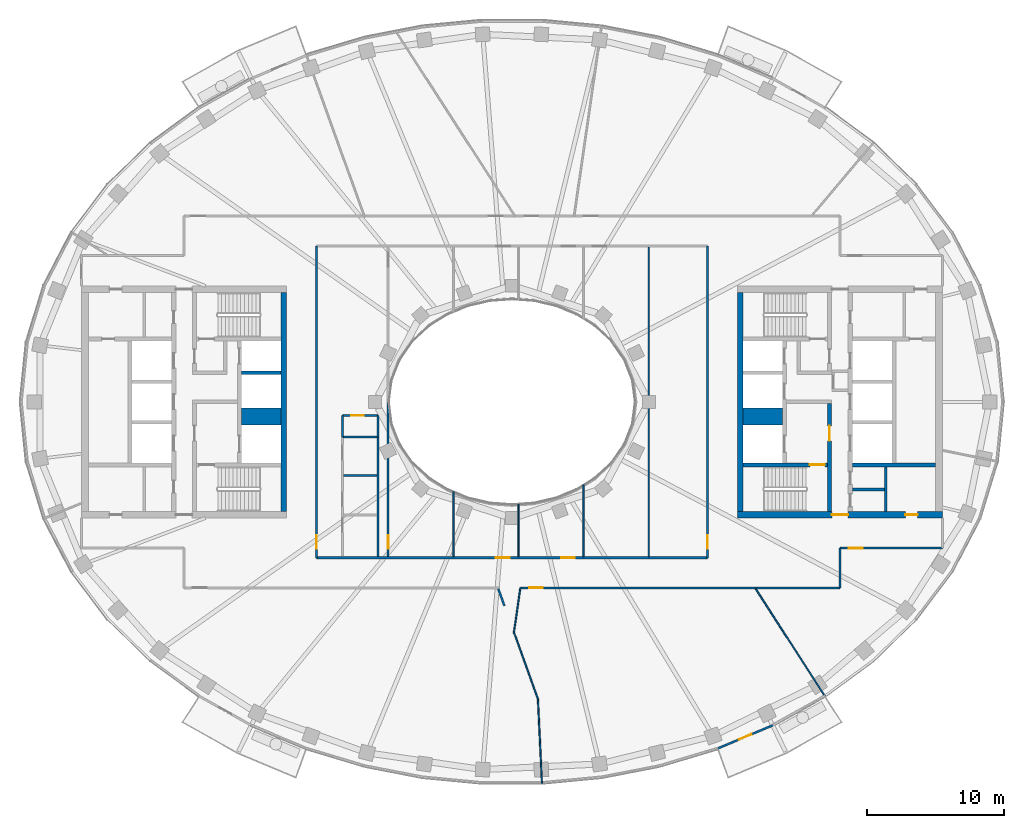
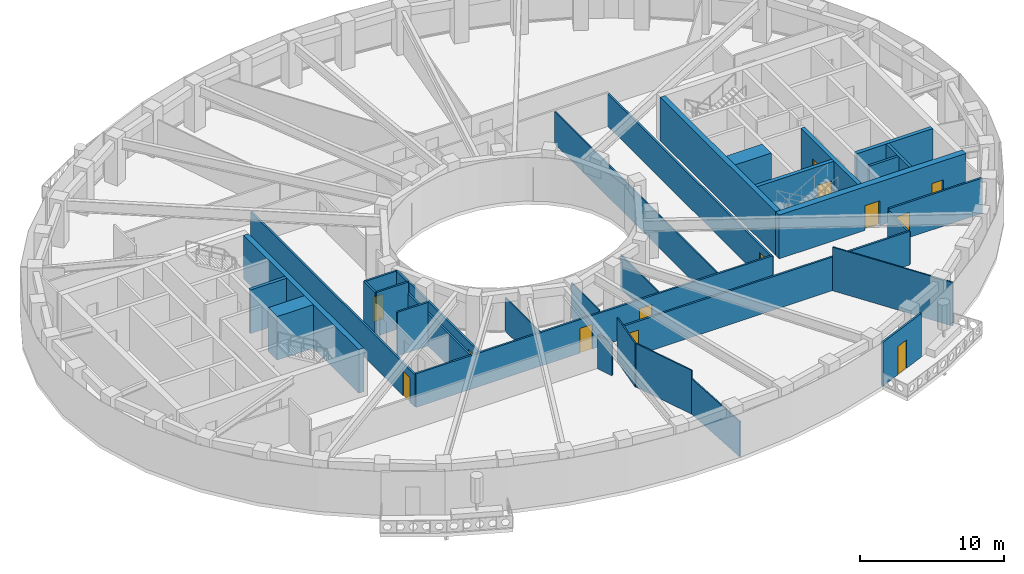
# One storey, part 4 of 15: 34 walls, 13 doors, 13 openings.
"""IFC4 building model written with IfcOpenShell, lengths in metres."""

import ifcopenshell
import ifcopenshell.guid

model = None  # the IFC model being written
_history = None  # IfcOwnerHistory: only IFC2X3 demands one
_inside = {}  # id of a spatial element -> (the spatial element, [elements in it])
_under = {}  # id of a project, library or spatial element -> (it, [spatial elements below it])
_declared = {}  # id of a project -> (the project, [libraries it declares])
_typed = {}  # id of a type object -> (the type object, [elements of that type])
_made_of = {}  # id of a material, layer set ... -> (it, [elements and type objects made of it])


def new_model(schema):
    """Start an empty IFC model of exactly this schema.

    Asked for "IFC4X3", IfcOpenShell would pick the latest addendum, in which some entities
    have other attributes; the version numbers below select the first issue.
    IFC2X3 requires an IfcOwnerHistory on every rooted entity: one is made here for all.
    """
    global model, _history
    if schema == "IFC4X3":
        model = ifcopenshell.file(schema_version=(4, 3, 0, 0))
    else:
        model = ifcopenshell.file(schema=schema)
    _inside.clear()
    _under.clear()
    _declared.clear()
    _typed.clear()
    _made_of.clear()
    _history = None
    if model.schema == "IFC2X3":
        org = make("IfcOrganization", Name="unknown")
        user = make(
            "IfcPersonAndOrganization",
            ThePerson=make("IfcPerson", FamilyName="unknown"),
            TheOrganization=org,
        )
        app = make(
            "IfcApplication",
            ApplicationDeveloper=org,
            Version="unknown",
            ApplicationFullName="unknown",
            ApplicationIdentifier="unknown",
        )
        _history = make(
            "IfcOwnerHistory",
            OwningUser=user,
            OwningApplication=app,
            ChangeAction="ADDED",
            CreationDate=0,
        )
    return model


def make(cls, **values):
    """One entity of the class cls with the attributes given. An attribute that is None is left unset."""
    return model.create_entity(
        cls, **{name: value for name, value in values.items() if value is not None}
    )


def rooted(cls, **values):
    """An entity with a GlobalId (a new one), such as an element, a storey or a relation."""
    return make(cls, GlobalId=ifcopenshell.guid.new(), OwnerHistory=_history, **values)


def si_unit(unit_type, name, prefix=None):
    """IfcSIUnit, for example si_unit("LENGTHUNIT", "METRE", prefix="MILLI")."""
    return make("IfcSIUnit", UnitType=unit_type, Prefix=prefix, Name=name)


def assignment(units):
    """IfcUnitAssignment: the units of a project."""
    return None if units is None else make("IfcUnitAssignment", Units=units)


def point(xyz):
    """IfcCartesianPoint."""
    return None if xyz is None else make("IfcCartesianPoint", Coordinates=xyz)


def direction(xyz):
    """IfcDirection."""
    return None if xyz is None else make("IfcDirection", DirectionRatios=xyz)


def frame(location, z_axis=None, x_axis=None):
    """IfcAxis2Placement3D, a coordinate frame: its origin and axes. An axis left out is left unset."""
    return make(
        "IfcAxis2Placement3D",
        Location=point(location),
        Axis=direction(z_axis),
        RefDirection=direction(x_axis),
    )


def frame_2d(location, x_axis=None):
    """IfcAxis2Placement2D, a coordinate frame in the plane: its origin and x axis."""
    return make(
        "IfcAxis2Placement2D", Location=point(location), RefDirection=direction(x_axis)
    )


def origin():
    """The frame at (0, 0, 0) with its axes left unset."""
    return frame((0.0, 0.0, 0.0))


def place(relative_to, where):
    """IfcLocalPlacement: puts the frame where relative to a parent placement (None: the world)."""
    return make(
        "IfcLocalPlacement", PlacementRelTo=relative_to, RelativePlacement=where
    )


def context(
    kind, dimensions, precision=None, world=None, true_north=None, identifier=None
):
    """IfcGeometricRepresentationContext, for example the 3D "Model" context."""
    return make(
        "IfcGeometricRepresentationContext",
        ContextIdentifier=identifier,
        ContextType=kind,
        CoordinateSpaceDimension=dimensions,
        Precision=precision,
        WorldCoordinateSystem=world,
        TrueNorth=true_north,
    )


def subcontext(parent, identifier, kind, view, scale=None):
    """IfcGeometricRepresentationSubContext, for example "Body" below "Model"."""
    return make(
        "IfcGeometricRepresentationSubContext",
        ContextIdentifier=identifier,
        ContextType=kind,
        ParentContext=parent,
        TargetScale=scale,
        TargetView=view,
    )


def project(units=None, contexts=None):
    """IfcProject with its units and contexts."""
    return rooted(
        "IfcProject",
        Name="project",
        RepresentationContexts=contexts,
        UnitsInContext=assignment(units),
    )


def spatial(cls, under=None, at=None, **own):
    """A site, building, storey or space (cls), placed at a placement, below another one or the project."""
    s = rooted(cls, ObjectPlacement=at, **own)
    if under is not None:
        _under.setdefault(under.id(), (under, []))[1].append(s)
    return s


def profile(cls, at=None, kind="AREA", **sizes):
    """A parametric profile (cls). Its sizes go by their IFC names, for example OverallWidth=200.0."""
    return make(cls, ProfileType=kind, Position=at, **sizes)


def rectangle(**sizes):
    """IfcRectangleProfileDef."""
    return profile("IfcRectangleProfileDef", **sizes)


def extrude(swept, where, along, depth):
    """IfcExtrudedAreaSolid: the profile swept, set in the frame where, extruded along a direction by depth."""
    return make(
        "IfcExtrudedAreaSolid",
        SweptArea=swept,
        Position=where,
        ExtrudedDirection=direction(along),
        Depth=depth,
    )


def shape(context_of_items, identifier, shape_type, items):
    """IfcShapeRepresentation: the items that make up one representation, for example the "Body"."""
    return make(
        "IfcShapeRepresentation",
        ContextOfItems=context_of_items,
        RepresentationIdentifier=identifier,
        RepresentationType=shape_type,
        Items=items,
    )


def material(Name=None, Category=None):
    """IfcMaterial."""
    return make("IfcMaterial", Name=Name, Category=Category)


def layer(
    of_material, thickness, ventilated=None, Name=None, Category=None, Priority=None
):
    """IfcMaterialLayer: one layer of a wall or slab, of a material (None: an air gap)."""
    return make(
        "IfcMaterialLayer",
        Material=of_material,
        LayerThickness=thickness,
        IsVentilated=ventilated,
        Name=Name,
        Category=Category,
        Priority=Priority,
    )


def layer_set(layers, Name=None):
    """IfcMaterialLayerSet."""
    return make("IfcMaterialLayerSet", MaterialLayers=layers, LayerSetName=Name)


def made_of(thing, what):
    """Note that an element or type object is made of a material, layer set ...; save() writes the relation."""
    if what is not None:
        _made_of.setdefault(what.id(), (what, []))[1].append(thing)
    return thing


def type_object(cls, material=None, **own):
    """A type object (cls), such as IfcWallType, which elements share."""
    return made_of(rooted(cls, **own), material)


def element(
    cls,
    number,
    at=None,
    inside=None,
    cuts=None,
    type_object=None,
    material=None,
    context=None,
    identifier="Body",
    shape_type=None,
    held_by="IfcProductDefinitionShape",
    body=None,
    shapes=None,
    **own,
):
    """One element of the class cls, such as IfcWall. Its Tag is "e" and its number.

    at: its placement. inside: the storey or other place that contains it. cuts: it is an
    opening in that element (IfcRelVoidsElement). A single representation is given by context,
    identifier, shape_type and body (its items); several are given by shapes. held_by: the class
    of the entity that holds the representations. save() writes the other relations.
    """
    e = rooted(cls, Tag="e%d" % number, ObjectPlacement=at, **own)
    if body is not None:
        shapes = [shape(context, identifier, shape_type, body)]
    if shapes is not None:
        e.Representation = make(held_by, Representations=shapes)
    if inside is not None:
        _inside.setdefault(inside.id(), (inside, []))[1].append(e)
    if cuts is not None:
        rooted(
            "IfcRelVoidsElement", RelatingBuildingElement=cuts, RelatedOpeningElement=e
        )
    if type_object is not None:
        _typed.setdefault(type_object.id(), (type_object, []))[1].append(e)
    return made_of(e, material)


def fill(opening, filler):
    """IfcRelFillsElement: the door or window that sits in an opening."""
    return rooted(
        "IfcRelFillsElement",
        RelatingOpeningElement=opening,
        RelatedBuildingElement=filler,
    )


def aggregate(whole, parts):
    """IfcRelAggregates: a whole, such as a stair, and the parts it consists of."""
    return rooted("IfcRelAggregates", RelatingObject=whole, RelatedObjects=parts)


def save(model, path):
    """Write the relations noted so far, then the file.

    IfcRelAggregates (storeys below a building ...), IfcRelContainedInSpatialStructure (elements
    in a storey), IfcRelDefinesByType, IfcRelAssociatesMaterial and IfcRelDeclares: one each for
    every whole, place, type object, material and project.
    """
    for whole, parts in _under.values():
        aggregate(whole, parts)
    for where, things in _inside.values():
        rooted(
            "IfcRelContainedInSpatialStructure",
            RelatedElements=things,
            RelatingStructure=where,
        )
    for kind, things in _typed.values():
        rooted("IfcRelDefinesByType", RelatedObjects=things, RelatingType=kind)
    for what, things in _made_of.values():
        rooted("IfcRelAssociatesMaterial", RelatedObjects=things, RelatingMaterial=what)
    for by, libraries in _declared.values():
        rooted("IfcRelDeclares", RelatingContext=by, RelatedDefinitions=libraries)
    model.write(path)


model = new_model("IFC4")

# Units and contexts
model_context = context("Model", 3, precision=1e-05, world=origin(), true_north=direction((0.0, 1.0)))
body_context = subcontext(model_context, "Body", "Model", "MODEL_VIEW")
ifc_project = project(units=[si_unit("LENGTHUNIT", "METRE"), si_unit("AREAUNIT", "SQUARE_METRE"), si_unit("VOLUMEUNIT", "CUBIC_METRE"), si_unit("PLANEANGLEUNIT", "RADIAN"), si_unit("MASSUNIT", "GRAM", prefix="KILO")], contexts=[model_context])

# Site, building, storey
site_placement = place(None, origin())
site = spatial("IfcSite", under=ifc_project, at=site_placement, CompositionType="ELEMENT")
building_placement = place(site_placement, origin())
building = spatial("IfcBuilding", under=site, at=building_placement, Name="Noorbagh Ring Tower", CompositionType="ELEMENT")
storey_placement = place(building_placement, frame((0.0, 0.0, 277.5)))
storey = spatial("IfcBuildingStorey", under=building, at=storey_placement, Name="L59", CompositionType="ELEMENT", Elevation=277.5)

# Walls
ifc_material_1 = material(Name="Gypsum board on steel studs", Category="steel")
ifc_layer_1 = layer(ifc_material_1, 0.14990234375)
ifc_layer_set_1 = layer_set([ifc_layer_1], Name="Gypsum board on steel studs")
wall_type_1 = type_object("IfcWallType", Name="COMPARTMENT PARTITION 150 EI 60", PredefinedType="PARTITIONING", material=ifc_layer_set_1)
wall_1_placement = place(storey_placement, frame((-12.39990234375, -2.56005859375, 0.0), z_axis=(0.0, 0.0, 1.0), x_axis=(0.0, 1.0, 0.0)))
element("IfcWall", 1, at=wall_1_placement, inside=storey, type_object=wall_type_1, Name="L59/wall/P18", PredefinedType="PARTITIONING", context=body_context, shape_type="SweptSolid", body=[
    extrude(rectangle(XDim=1.56005859375, YDim=0.14990234375, at=frame_2d((0.780029296875, 0.0))), origin(), (0.0, 0.0, 1.0), 3.699951171875),
])
wall_2_placement = place(storey_placement, frame((-12.39990234375, -2.56005859375, 0.0), z_axis=(0.0, 0.0, 1.0), x_axis=(1.0, 0.0, 0.0)))
element("IfcWall", 2, at=wall_2_placement, inside=storey, type_object=wall_type_1, Name="L59/wall/P19", PredefinedType="PARTITIONING", context=body_context, shape_type="SweptSolid", body=[
    extrude(rectangle(XDim=2.599853515625, YDim=0.14990234375, at=frame_2d((1.2998046875, 0.0))), origin(), (0.0, 0.0, 1.0), 3.699951171875),
])

# Wall, opening, door
wall_3_placement = place(storey_placement, frame((-12.39990234375, -1.0, 0.0), z_axis=(0.0, 0.0, 1.0), x_axis=(1.0, 0.0, 0.0)))
wall_3 = element("IfcWall", 3, at=wall_3_placement, inside=storey, type_object=wall_type_1, Name="L59/wall/P20", PredefinedType="PARTITIONING", context=body_context, shape_type="SweptSolid", body=[
    extrude(rectangle(XDim=2.595947265625, YDim=0.14990234375, at=frame_2d((1.2978515625, 0.0))), origin(), (0.0, 0.0, 1.0), 3.699951171875),
])
opening_1_placement = place(wall_3_placement, frame((0.64990234375, 0.0, 0.0)))
opening_1 = element("IfcOpeningElement", 4, at=opening_1_placement, cuts=wall_3, Name="Opening D4", PredefinedType="OPENING", context=body_context, shape_type="SweptSolid", body=[
    extrude(rectangle(XDim=0.89990234375, YDim=2.10009765625, at=frame_2d((0.449951171875, 1.050048828125))), frame((0.0, 0.0849609375, 0.0), z_axis=(0.0, -1.0, 0.0), x_axis=(1.0, 0.0, 0.0)), (0.0, 0.0, 1.0), 0.169921875),
])
ifc_material_2 = material(Name="Timber, painted", Category="wood")
door_type_1 = type_object("IfcDoorType", Name="DOOR 900 X 2100 FD60", OperationType="SINGLE_SWING_LEFT", PredefinedType="DOOR", material=ifc_material_2)
door_1_placement = place(opening_1_placement, origin())
door_1 = element("IfcDoor", 5, at=door_1_placement, inside=storey, type_object=door_type_1, Name="L59-D05", OperationType="SINGLE_SWING_LEFT", OverallHeight=2.10009765625, OverallWidth=0.89990234375, PredefinedType="DOOR", context=body_context, shape_type="SweptSolid", body=[
    extrude(rectangle(XDim=0.89990234375, YDim=2.10009765625, at=frame_2d((0.449951171875, 1.050048828125))), frame((0.0, 0.02490234375, 0.0), z_axis=(0.0, -1.0, 0.0), x_axis=(1.0, 0.0, 0.0)), (0.0, 0.0, 1.0), 0.050048828125),
])
fill(opening_1, door_1)

# Walls
wall_4_placement = place(storey_placement, frame((-9.800048828125, -2.56005859375, 0.0), z_axis=(0.0, 0.0, 1.0), x_axis=(0.0, 1.0, 0.0)))
element("IfcWall", 6, at=wall_4_placement, inside=storey, type_object=wall_type_1, Name="L59/wall/P23", PredefinedType="PARTITIONING", context=body_context, shape_type="SweptSolid", body=[
    extrude(rectangle(XDim=1.55615234375, YDim=0.14990234375, at=frame_2d((0.778076171875, 0.0))), origin(), (0.0, 0.0, 1.0), 3.699951171875),
])
ifc_material_3 = material(Name="Gypsum board on steel studs", Category="steel")
ifc_layer_2 = layer(ifc_material_3, 0.199951171875)
ifc_layer_set_2 = layer_set([ifc_layer_2], Name="Gypsum board on steel studs")
wall_type_2 = type_object("IfcWallType", Name="CORE-PARTITION-200", PredefinedType="PARTITIONING", material=ifc_layer_set_2)
wall_5_placement = place(storey_placement, frame((27.35009765625, -8.0, 0.0), z_axis=(0.0, 0.0, 1.0), x_axis=(0.0, 1.0, 0.0)))
element("IfcWall", 7, at=wall_5_placement, inside=storey, type_object=wall_type_2, Name="Core partition E", PredefinedType="PARTITIONING", context=body_context, shape_type="SweptSolid", body=[
    extrude(rectangle(XDim=3.25, YDim=0.199951171875, at=frame_2d((1.625, 0.0))), origin(), (0.0, 0.0, 1.0), 3.699951171875),
])
wall_6_placement = place(storey_placement, frame((24.89990234375, -6.39990234375, 0.0), z_axis=(0.0, 0.0, 1.0), x_axis=(1.0, 0.0, 0.0)))
element("IfcWall", 8, at=wall_6_placement, inside=storey, type_object=wall_type_2, Name="Core partition E", PredefinedType="PARTITIONING", context=body_context, shape_type="SweptSolid", body=[
    extrude(rectangle(XDim=2.35009765625, YDim=0.199951171875, at=frame_2d((1.175048828125, 0.0))), origin(), (0.0, 0.0, 1.0), 3.699951171875),
])
ifc_material_4 = material(Name="Concrete C60/75", Category="concrete")
ifc_layer_3 = layer(ifc_material_4, 1.25)
ifc_layer_set_3 = layer_set([ifc_layer_3], Name="Concrete C60/75")
wall_type_3 = type_object("IfcWallType", Name="CORE-WALL-1250-C60-75-EI120", PredefinedType="SHEAR", material=ifc_layer_set_3)
for number, where, z_axis, x_axis, name in (
    (9, (-16.89990234375, -1.074951171875, 0.0), (0.0, 0.0, 1.0), (-1.0, 0.0, 0.0), "Core wall W"),
    (10, (16.89990234375, -1.074951171875, 0.0), (0.0, 0.0, 1.0), (1.0, 0.0, 0.0), "Core wall E"),
):
    element("IfcWall", number, at=place(storey_placement, frame(where, z_axis=z_axis, x_axis=x_axis)), inside=storey, type_object=wall_type_3, Name=name, PredefinedType="SHEAR", context=body_context, shape_type="SweptSolid", body=[
        extrude(rectangle(XDim=2.900146484375, YDim=1.25, at=frame_2d((1.4501953125, 0.0))), origin(), (0.0, 0.0, 1.0), 3.699951171875),
    ])
ifc_material_5 = material(Name="Concrete C60/75", Category="concrete")
ifc_layer_4 = layer(ifc_material_5, 0.25)
ifc_layer_set_4 = layer_set([ifc_layer_4], Name="Concrete C60/75")
wall_type_4 = type_object("IfcWallType", Name="CORE-WALL-250-C60-75-EI120", PredefinedType="SHEAR", material=ifc_layer_set_4)
wall_7_placement = place(storey_placement, frame((-16.89990234375, 2.125, 0.0), z_axis=(0.0, 0.0, 1.0), x_axis=(-1.0, 0.0, 0.0)))
element("IfcWall", 11, at=wall_7_placement, inside=storey, type_object=wall_type_4, Name="Core wall W", PredefinedType="SHEAR", context=body_context, shape_type="SweptSolid", body=[
    extrude(rectangle(XDim=2.900146484375, YDim=0.25, at=frame_2d((1.4501953125, 0.0))), origin(), (0.0, 0.0, 1.0), 3.699951171875),
])
ifc_material_6 = material(Name="Concrete C60/75", Category="concrete")
ifc_layer_5 = layer(ifc_material_6, 0.300048828125)
ifc_layer_set_5 = layer_set([ifc_layer_5], Name="Concrete C60/75")
wall_type_5 = type_object("IfcWallType", Name="CORE-WALL-300-C60-75-EI240", PredefinedType="SHEAR", material=ifc_layer_set_5)
wall_8_placement = place(storey_placement, frame((24.89990234375, -4.60009765625, 0.0), z_axis=(0.0, 0.0, 1.0), x_axis=(1.0, 0.0, 0.0)))
element("IfcWall", 12, at=wall_8_placement, inside=storey, type_object=wall_type_5, Name="Core wall E", PredefinedType="SHEAR", context=body_context, shape_type="SweptSolid", body=[
    extrude(rectangle(XDim=6.10009765625, YDim=0.300048828125, at=frame_2d((3.050048828125, 0.0))), origin(), (0.0, 0.0, 1.0), 3.699951171875),
])

# Wall, opening, door
wall_9_placement = place(storey_placement, frame((23.22998046875, -8.0, 0.0), z_axis=(0.0, 0.0, 1.0), x_axis=(0.0, 1.0, 0.0)))
wall_9 = element("IfcWall", 13, at=wall_9_placement, inside=storey, type_object=wall_type_5, Name="Core wall E", PredefinedType="SHEAR", context=body_context, shape_type="SweptSolid", body=[
    extrude(rectangle(XDim=7.875, YDim=0.300048828125, at=frame_2d((3.9375, 0.0))), origin(), (0.0, 0.0, 1.0), 3.699951171875),
])
opening_2_placement = place(wall_9_placement, frame((5.14990234375, 0.0, 0.0)))
opening_2 = element("IfcOpeningElement", 14, at=opening_2_placement, cuts=wall_9, Name="Opening L59-CE09", PredefinedType="OPENING", context=body_context, shape_type="SweptSolid", body=[
    extrude(rectangle(XDim=1.10009765625, YDim=2.10009765625, at=frame_2d((0.550048828125, 1.050048828125))), frame((0.0, 0.16015625, 0.0), z_axis=(0.0, -1.0, 0.0), x_axis=(1.0, 0.0, 0.0)), (0.0, 0.0, 1.0), 0.320068359375),
])
ifc_material_7 = material(Name="Steel door leaf", Category="steel")
door_type_2 = type_object("IfcDoorType", Name="CORE-DOOR-DFF", OperationType="SINGLE_SWING_LEFT", PredefinedType="DOOR", material=ifc_material_7)
door_2_placement = place(opening_2_placement, origin())
door_2 = element("IfcDoor", 15, at=door_2_placement, inside=storey, type_object=door_type_2, Name="Firefighting lobby door L59-CE09", OperationType="SINGLE_SWING_RIGHT", OverallHeight=2.10009765625, OverallWidth=1.10009765625, PredefinedType="DOOR", context=body_context, shape_type="SweptSolid", body=[
    extrude(rectangle(XDim=1.10009765625, YDim=2.10009765625, at=frame_2d((0.550048828125, 1.050048828125))), frame((0.0, 0.02490234375, 0.0), z_axis=(0.0, -1.0, 0.0), x_axis=(1.0, 0.0, 0.0)), (0.0, 0.0, 1.0), 0.050048828125),
])
fill(opening_2, door_2)

wall_10_placement = place(storey_placement, frame((16.89990234375, -4.60009765625, 0.0), z_axis=(0.0, 0.0, 1.0), x_axis=(1.0, 0.0, 0.0)))
wall_10 = element("IfcWall", 16, at=wall_10_placement, inside=storey, type_object=wall_type_5, Name="Core wall E", PredefinedType="SHEAR", context=body_context, shape_type="SweptSolid", body=[
    extrude(rectangle(XDim=6.18017578125, YDim=0.300048828125, at=frame_2d((3.090087890625, 0.0))), origin(), (0.0, 0.0, 1.0), 3.699951171875),
])
opening_3_placement = place(wall_10_placement, frame((4.89990234375, 0.0, 0.0)))
opening_3 = element("IfcOpeningElement", 17, at=opening_3_placement, cuts=wall_10, Name="Opening L59-CE08", PredefinedType="OPENING", context=body_context, shape_type="SweptSolid", body=[
    extrude(rectangle(XDim=1.10009765625, YDim=2.10009765625, at=frame_2d((0.550048828125, 1.050048828125))), frame((0.0, 0.16015625, 0.0), z_axis=(0.0, -1.0, 0.0), x_axis=(1.0, 0.0, 0.0)), (0.0, 0.0, 1.0), 0.320068359375),
])
ifc_material_8 = material(Name="Steel door leaf", Category="steel")
door_type_3 = type_object("IfcDoorType", Name="CORE-DOOR-DSTAIR", OperationType="SINGLE_SWING_LEFT", PredefinedType="DOOR", material=ifc_material_8)
door_3_placement = place(opening_3_placement, origin())
door_3 = element("IfcDoor", 18, at=door_3_placement, inside=storey, type_object=door_type_3, Name="Stair door ST4 L59-CE08", OperationType="SINGLE_SWING_RIGHT", OverallHeight=2.10009765625, OverallWidth=1.10009765625, PredefinedType="DOOR", context=body_context, shape_type="SweptSolid", body=[
    extrude(rectangle(XDim=1.10009765625, YDim=2.10009765625, at=frame_2d((0.550048828125, 1.050048828125))), frame((0.0, 0.02490234375, 0.0), z_axis=(0.0, -1.0, 0.0), x_axis=(1.0, 0.0, 0.0)), (0.0, 0.0, 1.0), 0.050048828125),
])
fill(opening_3, door_3)

# Walls
ifc_material_9 = material(Name="Concrete C60/75", Category="concrete")
ifc_layer_6 = layer(ifc_material_9, 0.39990234375)
ifc_layer_set_6 = layer_set([ifc_layer_6], Name="Concrete C60/75")
wall_type_6 = type_object("IfcWallType", Name="CORE-WALL-400-C60-75-EI240", PredefinedType="SHEAR", material=ifc_layer_set_6)
for number, where, z_axis, x_axis, name in (
    (19, (-16.699951171875, -8.0, 0.0), (0.0, 0.0, 1.0), (0.0, 1.0, 0.0), "Core wall W"),
    (20, (16.699951171875, -8.0, 0.0), (0.0, 0.0, 1.0), (0.0, 1.0, 0.0), "Core wall E"),
):
    element("IfcWall", number, at=place(storey_placement, frame(where, z_axis=z_axis, x_axis=x_axis)), inside=storey, type_object=wall_type_6, Name=name, PredefinedType="SHEAR", context=body_context, shape_type="SweptSolid", body=[
        extrude(rectangle(XDim=16.0, YDim=0.39990234375, at=frame_2d((8.0, 0.0))), origin(), (0.0, 0.0, 1.0), 3.699951171875),
    ])

# Wall, openings, doors
ifc_material_10 = material(Name="Concrete C60/75", Category="concrete")
ifc_layer_7 = layer(ifc_material_10, 0.5)
ifc_layer_set_7 = layer_set([ifc_layer_7], Name="Concrete C60/75")
wall_type_7 = type_object("IfcWallType", Name="CORE-WALL-500-C60-75-EI240", PredefinedType="SHEAR", material=ifc_layer_set_7)
wall_11_placement = place(storey_placement, frame((16.5, -8.25, 0.0), z_axis=(0.0, 0.0, 1.0), x_axis=(1.0, 0.0, 0.0)))
wall_11 = element("IfcWall", 21, at=wall_11_placement, inside=storey, type_object=wall_type_7, Name="Core wall E", PredefinedType="SHEAR", context=body_context, shape_type="SweptSolid", body=[
    extrude(rectangle(XDim=15.0, YDim=0.5, at=frame_2d((7.5, 0.0))), origin(), (0.0, 0.0, 1.0), 3.699951171875),
])
opening_4_placement = place(wall_11_placement, frame((6.89990234375, 0.0, 0.0)))
opening_4 = element("IfcOpeningElement", 22, at=opening_4_placement, cuts=wall_11, Name="Opening L59-CE12", PredefinedType="OPENING", context=body_context, shape_type="SweptSolid", body=[
    extrude(rectangle(XDim=1.199951171875, YDim=2.10009765625, at=frame_2d((0.60009765625, 1.050048828125))), frame((0.0, 0.260009765625, 0.0), z_axis=(0.0, -1.0, 0.0), x_axis=(1.0, 0.0, 0.0)), (0.0, 0.0, 1.0), 0.52001953125),
])
opening_5_placement = place(wall_11_placement, frame((12.27490234375, 0.0, 0.0)))
opening_5 = element("IfcOpeningElement", 23, at=opening_5_placement, cuts=wall_11, Name="Opening L59-CE17", PredefinedType="OPENING", context=body_context, shape_type="SweptSolid", body=[
    extrude(rectangle(XDim=0.89990234375, YDim=2.10009765625, at=frame_2d((0.449951171875, 1.050048828125))), frame((0.0, 0.260009765625, 0.0), z_axis=(0.0, -1.0, 0.0), x_axis=(1.0, 0.0, 0.0)), (0.0, 0.0, 1.0), 0.52001953125),
])
ifc_material_11 = material(Name="Steel door leaf", Category="steel")
door_type_4 = type_object("IfcDoorType", Name="CORE-DOOR-DROOM", OperationType="SINGLE_SWING_LEFT", PredefinedType="DOOR", material=ifc_material_11)
door_4_placement = place(opening_5_placement, origin())
door_4 = element("IfcDoor", 24, at=door_4_placement, inside=storey, type_object=door_type_4, Name="Core room door L59-CE17", OperationType="SINGLE_SWING_RIGHT", OverallHeight=2.10009765625, OverallWidth=0.89990234375, PredefinedType="DOOR", context=body_context, shape_type="SweptSolid", body=[
    extrude(rectangle(XDim=0.89990234375, YDim=2.10009765625, at=frame_2d((0.449951171875, 1.050048828125))), frame((0.0, 0.02490234375, 0.0), z_axis=(0.0, -1.0, 0.0), x_axis=(1.0, 0.0, 0.0)), (0.0, 0.0, 1.0), 0.050048828125),
])
fill(opening_5, door_4)
ifc_material_12 = material(Name="Steel door leaf", Category="steel")
door_type_5 = type_object("IfcDoorType", Name="CORE-DOOR-PORT", OperationType="DOUBLE_DOOR_DOUBLE_SWING", PredefinedType="DOOR", material=ifc_material_12)
door_5_placement = place(opening_4_placement, origin())
door_5 = element("IfcDoor", 25, at=door_5_placement, inside=storey, type_object=door_type_5, Name="Core entrance door L59-CE12", OperationType="DOUBLE_DOOR_DOUBLE_SWING", OverallHeight=2.10009765625, OverallWidth=1.199951171875, PredefinedType="DOOR", context=body_context, shape_type="SweptSolid", body=[
    extrude(rectangle(XDim=1.199951171875, YDim=2.10009765625, at=frame_2d((0.60009765625, 1.050048828125))), frame((0.0, 0.02490234375, 0.0), z_axis=(0.0, -1.0, 0.0), x_axis=(1.0, 0.0, 0.0)), (0.0, 0.0, 1.0), 0.050048828125),
])
fill(opening_4, door_5)

# Wall, opening, door
ifc_material_13 = material(Name="Gypsum board on steel studs", Category="steel")
ifc_layer_8 = layer(ifc_material_13, 0.14990234375)
ifc_layer_set_8 = layer_set([ifc_layer_8], Name="Gypsum board on steel studs")
wall_type_8 = type_object("IfcWallType", Name="CORRIDOR PARTITION 150 EI 30", PredefinedType="PARTITIONING", material=ifc_layer_set_8)
wall_12_placement = place(storey_placement, frame((-14.300048828125, -11.39990234375, 0.0), z_axis=(0.0, 0.0, 1.0), x_axis=(0.0, 1.0, 0.0)))
wall_12 = element("IfcWall", 26, at=wall_12_placement, inside=storey, type_object=wall_type_8, Name="L59/wall/P12", PredefinedType="PARTITIONING", context=body_context, shape_type="SweptSolid", body=[
    extrude(rectangle(XDim=22.7998046875, YDim=0.14990234375, at=frame_2d((11.39990234375, 0.0))), origin(), (0.0, 0.0, 1.0), 2.75),
])
opening_6_placement = place(wall_12_placement, frame((0.64990234375, 0.0, 0.0)))
opening_6 = element("IfcOpeningElement", 27, at=opening_6_placement, cuts=wall_12, Name="Opening D1", PredefinedType="OPENING", context=body_context, shape_type="SweptSolid", body=[
    extrude(rectangle(XDim=1.0, YDim=2.10009765625, at=frame_2d((0.5, 1.050048828125))), frame((0.0, 0.0849609375, 0.0), z_axis=(0.0, -1.0, 0.0), x_axis=(1.0, 0.0, 0.0)), (0.0, 0.0, 1.0), 0.169921875),
])
ifc_material_14 = material(Name="Timber, painted", Category="wood")
door_type_6 = type_object("IfcDoorType", Name="DOOR 1000 X 2100 FD30", OperationType="SINGLE_SWING_LEFT", PredefinedType="DOOR", material=ifc_material_14)
door_6_placement = place(opening_6_placement, origin())
door_6 = element("IfcDoor", 28, at=door_6_placement, inside=storey, type_object=door_type_6, Name="L59-D01", OperationType="SINGLE_SWING_LEFT", OverallHeight=2.10009765625, OverallWidth=1.0, PredefinedType="DOOR", context=body_context, shape_type="SweptSolid", body=[
    extrude(rectangle(XDim=1.0, YDim=2.10009765625, at=frame_2d((0.5, 1.050048828125))), frame((0.0, 0.02490234375, 0.0), z_axis=(0.0, -1.0, 0.0), x_axis=(1.0, 0.0, 0.0)), (0.0, 0.0, 1.0), 0.050048828125),
])
fill(opening_6, door_6)

# Wall, openings, doors
wall_13_placement = place(storey_placement, frame((-14.300048828125, -11.39990234375, 0.0), z_axis=(0.0, 0.0, 1.0), x_axis=(1.0, 0.0, 0.0)))
wall_13 = element("IfcWall", 29, at=wall_13_placement, inside=storey, type_object=wall_type_8, Name="L59/wall/P13", PredefinedType="PARTITIONING", context=body_context, shape_type="SweptSolid", body=[
    extrude(rectangle(XDim=28.60009765625, YDim=0.14990234375, at=frame_2d((14.300048828125, 0.0))), origin(), (0.0, 0.0, 1.0), 2.85009765625),
])
opening_7_placement = place(wall_13_placement, frame((13.126953125, 0.0, 0.0)))
opening_7 = element("IfcOpeningElement", 30, at=opening_7_placement, cuts=wall_13, Name="Opening D1", PredefinedType="OPENING", context=body_context, shape_type="SweptSolid", body=[
    extrude(rectangle(XDim=1.0, YDim=2.10009765625, at=frame_2d((0.5, 1.050048828125))), frame((0.0, 0.0849609375, 0.0), z_axis=(0.0, -1.0, 0.0), x_axis=(1.0, 0.0, 0.0)), (0.0, 0.0, 1.0), 0.169921875),
])
opening_8_placement = place(wall_13_placement, frame((17.89306640625, 0.0, 0.0)))
opening_8 = element("IfcOpeningElement", 31, at=opening_8_placement, cuts=wall_13, Name="Opening D1", PredefinedType="OPENING", context=body_context, shape_type="SweptSolid", body=[
    extrude(rectangle(XDim=1.0, YDim=2.10009765625, at=frame_2d((0.5, 1.050048828125))), frame((0.0, 0.0849609375, 0.0), z_axis=(0.0, -1.0, 0.0), x_axis=(1.0, 0.0, 0.0)), (0.0, 0.0, 1.0), 0.169921875),
])
door_7_placement = place(opening_7_placement, origin())
door_7 = element("IfcDoor", 32, at=door_7_placement, inside=storey, type_object=door_type_6, Name="L59-D17", OperationType="SINGLE_SWING_LEFT", OverallHeight=2.10009765625, OverallWidth=1.0, PredefinedType="DOOR", context=body_context, shape_type="SweptSolid", body=[
    extrude(rectangle(XDim=1.0, YDim=2.10009765625, at=frame_2d((0.5, 1.050048828125))), frame((0.0, 0.02490234375, 0.0), z_axis=(0.0, -1.0, 0.0), x_axis=(1.0, 0.0, 0.0)), (0.0, 0.0, 1.0), 0.050048828125),
])
fill(opening_7, door_7)
door_8_placement = place(opening_8_placement, origin())
door_8 = element("IfcDoor", 33, at=door_8_placement, inside=storey, type_object=door_type_6, Name="L59-D19", OperationType="SINGLE_SWING_LEFT", OverallHeight=2.10009765625, OverallWidth=1.0, PredefinedType="DOOR", context=body_context, shape_type="SweptSolid", body=[
    extrude(rectangle(XDim=1.0, YDim=2.10009765625, at=frame_2d((0.5, 1.050048828125))), frame((0.0, 0.02490234375, 0.0), z_axis=(0.0, -1.0, 0.0), x_axis=(1.0, 0.0, 0.0)), (0.0, 0.0, 1.0), 0.050048828125),
])
fill(opening_8, door_8)

# Walls
wall_14_placement = place(storey_placement, frame((-12.324951171875, -5.367919921875, 0.0), z_axis=(0.0, 0.0, 1.0), x_axis=(1.0, 0.0, 0.0)))
element("IfcWall", 34, at=wall_14_placement, inside=storey, type_object=wall_type_8, Name="L59/wall/P17", PredefinedType="PARTITIONING", context=body_context, shape_type="SweptSolid", body=[
    extrude(rectangle(XDim=2.449951171875, YDim=0.14990234375, at=frame_2d((1.22509765625, 0.0))), origin(), (0.0, 0.0, 1.0), 3.699951171875),
])
wall_15_placement = place(storey_placement, frame((-9.800048828125, -11.324951171875, 0.0), z_axis=(0.0, 0.0, 1.0), x_axis=(0.0, 1.0, 0.0)))
element("IfcWall", 35, at=wall_15_placement, inside=storey, type_object=wall_type_8, Name="L59/wall/P22", PredefinedType="PARTITIONING", context=body_context, shape_type="SweptSolid", body=[
    extrude(rectangle(XDim=8.764892578125, YDim=0.14990234375, at=frame_2d((4.38232421875, 0.0))), origin(), (0.0, 0.0, 1.0), 2.75),
])

# Wall, opening, door
wall_16_placement = place(storey_placement, frame((-9.056884765625, -11.324951171875, 0.0), z_axis=(0.0, 0.0, 1.0), x_axis=(0.0, 1.0, 0.0)))
wall_16 = element("IfcWall", 36, at=wall_16_placement, inside=storey, type_object=wall_type_8, Name="L59/wall/P24", PredefinedType="PARTITIONING", context=body_context, shape_type="SweptSolid", body=[
    extrude(rectangle(XDim=11.280029296875, YDim=0.14990234375, at=frame_2d((5.64013671875, 0.0))), origin(), (0.0, 0.0, 1.0), 2.75),
])
opening_9_placement = place(wall_16_placement, frame((0.574951171875, 0.0, 0.0)))
opening_9 = element("IfcOpeningElement", 37, at=opening_9_placement, cuts=wall_16, Name="Opening D1", PredefinedType="OPENING", context=body_context, shape_type="SweptSolid", body=[
    extrude(rectangle(XDim=1.0, YDim=2.10009765625, at=frame_2d((0.5, 1.050048828125))), frame((0.0, 0.0849609375, 0.0), z_axis=(0.0, -1.0, 0.0), x_axis=(1.0, 0.0, 0.0)), (0.0, 0.0, 1.0), 0.169921875),
])
door_9_placement = place(opening_9_placement, origin())
door_9 = element("IfcDoor", 38, at=door_9_placement, inside=storey, type_object=door_type_6, Name="L59-D15", OperationType="SINGLE_SWING_LEFT", OverallHeight=2.10009765625, OverallWidth=1.0, PredefinedType="DOOR", context=body_context, shape_type="SweptSolid", body=[
    extrude(rectangle(XDim=1.0, YDim=2.10009765625, at=frame_2d((0.5, 1.050048828125))), frame((0.0, 0.02490234375, 0.0), z_axis=(0.0, -1.0, 0.0), x_axis=(1.0, 0.0, 0.0)), (0.0, 0.0, 1.0), 0.050048828125),
])
fill(opening_9, door_9)

# Wall
wall_17_placement = place(storey_placement, frame((-1.001953125, -13.678955078125, 0.0), z_axis=(0.0, 0.0, 1.0), x_axis=(0.338955963777, -0.94080223991, 0.0)))
element("IfcWall", 39, at=wall_17_placement, inside=storey, type_object=wall_type_8, Name="L59/wall/P29", PredefinedType="PARTITIONING", context=body_context, shape_type="SweptSolid", body=[
    extrude(rectangle(XDim=1.31591796875, YDim=0.14990234375, at=frame_2d((0.657958984375, 0.0))), origin(), (0.0, 0.0, 1.0), 2.85009765625),
])

# Wall, opening, door
wall_18_placement = place(storey_placement, frame((0.613037109375, -13.60009765625, 0.0), z_axis=(0.0, 0.0, 1.0), x_axis=(1.0, 0.0, 0.0)))
wall_18 = element("IfcWall", 40, at=wall_18_placement, inside=storey, type_object=wall_type_8, Name="L59/wall/P34", PredefinedType="PARTITIONING", context=body_context, shape_type="SweptSolid", body=[
    extrude(rectangle(XDim=23.386962890625, YDim=0.14990234375, at=frame_2d((11.693359375, 0.0))), origin(), (0.0, 0.0, 1.0), 2.85009765625),
])
opening_10_placement = place(wall_18_placement, frame((0.64990234375, 0.0, 0.0)))
opening_10 = element("IfcOpeningElement", 41, at=opening_10_placement, cuts=wall_18, Name="Opening D1", PredefinedType="OPENING", context=body_context, shape_type="SweptSolid", body=[
    extrude(rectangle(XDim=1.0, YDim=2.10009765625, at=frame_2d((0.5, 1.050048828125))), frame((0.0, 0.0849609375, 0.0), z_axis=(0.0, -1.0, 0.0), x_axis=(1.0, 0.0, 0.0)), (0.0, 0.0, 1.0), 0.169921875),
])
door_10_placement = place(opening_10_placement, origin())
door_10 = element("IfcDoor", 42, at=door_10_placement, inside=storey, type_object=door_type_6, Name="L59-D11", OperationType="SINGLE_SWING_LEFT", OverallHeight=2.10009765625, OverallWidth=1.0, PredefinedType="DOOR", context=body_context, shape_type="SweptSolid", body=[
    extrude(rectangle(XDim=1.0, YDim=2.10009765625, at=frame_2d((0.5, 1.050048828125))), frame((0.0, 0.02490234375, 0.0), z_axis=(0.0, -1.0, 0.0), x_axis=(1.0, 0.0, 0.0)), (0.0, 0.0, 1.0), 0.050048828125),
])
fill(opening_10, door_10)

wall_19_placement = place(storey_placement, frame((14.300048828125, -11.39990234375, 0.0), z_axis=(0.0, 0.0, 1.0), x_axis=(0.0, 1.0, 0.0)))
wall_19 = element("IfcWall", 43, at=wall_19_placement, inside=storey, type_object=wall_type_8, Name="L59/wall/P41", PredefinedType="PARTITIONING", context=body_context, shape_type="SweptSolid", body=[
    extrude(rectangle(XDim=22.7998046875, YDim=0.14990234375, at=frame_2d((11.39990234375, 0.0))), origin(), (0.0, 0.0, 1.0), 2.75),
])
opening_11_placement = place(wall_19_placement, frame((0.64990234375, 0.0, 0.0)))
opening_11 = element("IfcOpeningElement", 44, at=opening_11_placement, cuts=wall_19, Name="Opening D1", PredefinedType="OPENING", context=body_context, shape_type="SweptSolid", body=[
    extrude(rectangle(XDim=1.0, YDim=2.10009765625, at=frame_2d((0.5, 1.050048828125))), frame((0.0, 0.0849609375, 0.0), z_axis=(0.0, -1.0, 0.0), x_axis=(1.0, 0.0, 0.0)), (0.0, 0.0, 1.0), 0.169921875),
])
door_11_placement = place(opening_11_placement, origin())
door_11 = element("IfcDoor", 45, at=door_11_placement, inside=storey, type_object=door_type_6, Name="L59-D22", OperationType="SINGLE_SWING_RIGHT", OverallHeight=2.10009765625, OverallWidth=1.0, PredefinedType="DOOR", context=body_context, shape_type="SweptSolid", body=[
    extrude(rectangle(XDim=1.0, YDim=2.10009765625, at=frame_2d((0.5, 1.050048828125))), frame((0.0, 0.02490234375, 0.0), z_axis=(0.0, -1.0, 0.0), x_axis=(1.0, 0.0, 0.0)), (0.0, 0.0, 1.0), 0.050048828125),
])
fill(opening_11, door_11)

# Wall
wall_20_placement = place(storey_placement, frame((24.0, -13.60009765625, 0.0), z_axis=(0.0, 0.0, 1.0), x_axis=(0.0, 1.0, 0.0)))
element("IfcWall", 46, at=wall_20_placement, inside=storey, type_object=wall_type_8, Name="L59/wall/P44", PredefinedType="PARTITIONING", context=body_context, shape_type="SweptSolid", body=[
    extrude(rectangle(XDim=2.900146484375, YDim=0.14990234375, at=frame_2d((1.4501953125, 0.0))), origin(), (0.0, 0.0, 1.0), 2.75),
])

# Wall, opening, door
wall_21_placement = place(storey_placement, frame((24.0, -10.699951171875, 0.0), z_axis=(0.0, 0.0, 1.0), x_axis=(1.0, 0.0, 0.0)))
wall_21 = element("IfcWall", 47, at=wall_21_placement, inside=storey, type_object=wall_type_8, Name="L59/wall/P45", PredefinedType="PARTITIONING", context=body_context, shape_type="SweptSolid", body=[
    extrude(rectangle(XDim=7.5, YDim=0.14990234375, at=frame_2d((3.75, 0.0))), origin(), (0.0, 0.0, 1.0), 3.0),
])
opening_12_placement = place(wall_21_placement, frame((0.64990234375, 0.0, 0.0)))
opening_12 = element("IfcOpeningElement", 48, at=opening_12_placement, cuts=wall_21, Name="Opening D1", PredefinedType="OPENING", context=body_context, shape_type="SweptSolid", body=[
    extrude(rectangle(XDim=1.0, YDim=2.10009765625, at=frame_2d((0.5, 1.050048828125))), frame((0.0, 0.0849609375, 0.0), z_axis=(0.0, -1.0, 0.0), x_axis=(1.0, 0.0, 0.0)), (0.0, 0.0, 1.0), 0.169921875),
])
door_12_placement = place(opening_12_placement, origin())
door_12 = element("IfcDoor", 49, at=door_12_placement, inside=storey, type_object=door_type_6, Name="L59-D13", OperationType="SINGLE_SWING_LEFT", OverallHeight=2.10009765625, OverallWidth=1.0, PredefinedType="DOOR", context=body_context, shape_type="SweptSolid", body=[
    extrude(rectangle(XDim=1.0, YDim=2.10009765625, at=frame_2d((0.5, 1.050048828125))), frame((0.0, 0.02490234375, 0.0), z_axis=(0.0, -1.0, 0.0), x_axis=(1.0, 0.0, 0.0)), (0.0, 0.0, 1.0), 0.050048828125),
])
fill(opening_12, door_12)

ifc_material_15 = material(Name="Insulated aluminium clad panel", Category="aluminium")
ifc_layer_9 = layer(ifc_material_15, 0.14990234375)
ifc_layer_set_9 = layer_set([ifc_layer_9], Name="Insulated aluminium clad panel")
wall_type_9 = type_object("IfcWallType", Name="ENV-WALL-DOOR", PredefinedType="STANDARD", material=ifc_layer_set_9)
wall_22_placement = place(storey_placement, frame((15.017822265625, -25.368896484375, 0.0), z_axis=(0.0, 0.0, 1.0), x_axis=(0.921816985161, 0.387625393736, 0.0)))
wall_22 = element("IfcWall", 50, at=wall_22_placement, inside=storey, type_object=wall_type_9, Name="Balcony door wall chord 39", PredefinedType="STANDARD", context=body_context, shape_type="SweptSolid", body=[
    extrude(rectangle(XDim=4.42578125, YDim=0.14990234375, at=frame_2d((2.212890625, 0.0))), origin(), (0.0, 0.0, 1.0), 3.699951171875),
])
opening_13_placement = place(wall_22_placement, frame((1.712890625, 0.0, 0.0)))
opening_13 = element("IfcOpeningElement", 51, at=opening_13_placement, cuts=wall_22, Name="Opening D-BL", PredefinedType="OPENING", context=body_context, shape_type="SweptSolid", body=[
    extrude(rectangle(XDim=1.0, YDim=2.39990234375, at=frame_2d((0.5, 1.199951171875))), frame((0.0, 0.0849609375, 0.0), z_axis=(0.0, -1.0, 0.0), x_axis=(1.0, 0.0, 0.0)), (0.0, 0.0, 1.0), 0.169921875),
])
ifc_material_16 = material(Name="Aluminium and glass", Category="aluminium")
door_type_7 = type_object("IfcDoorType", Name="ENV-DOOR-BALCONY", OperationType="SINGLE_SWING_LEFT", PredefinedType="DOOR", material=ifc_material_16)
door_13_placement = place(opening_13_placement, origin())
door_13 = element("IfcDoor", 52, at=door_13_placement, inside=storey, type_object=door_type_7, Name="Balcony door chord 39", OperationType="SINGLE_SWING_RIGHT", OverallHeight=2.39990234375, OverallWidth=1.0, PredefinedType="DOOR", context=body_context, shape_type="SweptSolid", body=[
    extrude(rectangle(XDim=1.0, YDim=2.39990234375, at=frame_2d((0.5, 1.199951171875))), frame((0.0, 0.02490234375, 0.0), z_axis=(0.0, -1.0, 0.0), x_axis=(1.0, 0.0, 0.0)), (0.0, 0.0, 1.0), 0.050048828125),
])
fill(opening_13, door_13)

# Walls
ifc_material_17 = material(Name="Gypsum board on steel studs", Category="steel")
ifc_layer_10 = layer(ifc_material_17, 0.10009765625)
ifc_layer_set_10 = layer_set([ifc_layer_10], Name="Gypsum board on steel studs")
wall_type_10 = type_object("IfcWallType", Name="PARTITION 100 GYPSUM", PredefinedType="PARTITIONING", material=ifc_layer_set_10)
wall_23_placement = place(storey_placement, frame((-4.2900390625, -11.324951171875, 0.0), z_axis=(0.0, 0.0, 1.0), x_axis=(0.0, 1.0, 0.0)))
element("IfcWall", 53, at=wall_23_placement, inside=storey, type_object=wall_type_10, Name="L59/wall/P27", PredefinedType="PARTITIONING", context=body_context, shape_type="SweptSolid", body=[
    extrude(rectangle(XDim=4.7568359375, YDim=0.10009765625, at=frame_2d((2.37841796875, 0.0))), origin(), (0.0, 0.0, 1.0), 2.85009765625),
])
wall_24_placement = place(storey_placement, frame((0.126953125, -16.965087890625, 0.0), z_axis=(0.0, 0.0, 1.0), x_axis=(0.143132116572, 0.989703590579, 0.0)))
element("IfcWall", 54, at=wall_24_placement, inside=storey, type_object=wall_type_10, Name="L59/wall/P30", PredefinedType="PARTITIONING", context=body_context, shape_type="SweptSolid", body=[
    extrude(rectangle(XDim=3.39599609375, YDim=0.10009765625, at=frame_2d((1.697998046875, 0.0))), origin(), (0.0, 0.0, 1.0), 3.699951171875),
])
wall_25_placement = place(storey_placement, frame((0.177978515625, -16.9599609375, 0.0), z_axis=(0.0, 0.0, 1.0), x_axis=(0.338307223105, -0.941035718129, 0.0)))
element("IfcWall", 55, at=wall_25_placement, inside=storey, type_object=wall_type_10, Name="L59/wall/P31", PredefinedType="PARTITIONING", context=body_context, shape_type="SweptSolid", body=[
    extrude(rectangle(XDim=5.075439453125, YDim=0.10009765625, at=frame_2d((2.53759765625, 0.0))), origin(), (0.0, 0.0, 1.0), 3.699951171875),
])
wall_26_placement = place(storey_placement, frame((0.47705078125, -11.324951171875, 0.0), z_axis=(0.0, 0.0, 1.0), x_axis=(0.0, 1.0, 0.0)))
element("IfcWall", 56, at=wall_26_placement, inside=storey, type_object=wall_type_10, Name="L59/wall/P32", PredefinedType="PARTITIONING", context=body_context, shape_type="SweptSolid", body=[
    extrude(rectangle(XDim=3.85693359375, YDim=0.10009765625, at=frame_2d((1.928466796875, 0.0))), origin(), (0.0, 0.0, 1.0), 3.0),
])
wall_27_placement = place(storey_placement, frame((1.89794921875, -21.75, 0.0), z_axis=(0.0, 0.0, 1.0), x_axis=(0.047440765919, -0.998874052986, 0.0)))
element("IfcWall", 57, at=wall_27_placement, inside=storey, type_object=wall_type_10, Name="L59/wall/P35", PredefinedType="PARTITIONING", context=body_context, shape_type="SweptSolid", body=[
    extrude(rectangle(XDim=6.15478515625, YDim=0.10009765625, at=frame_2d((3.077392578125, 0.0))), origin(), (0.0, 0.0, 1.0), 3.0),
])
wall_28_placement = place(storey_placement, frame((5.242919921875, -11.324951171875, 0.0), z_axis=(0.0, 0.0, 1.0), x_axis=(0.0, 1.0, 0.0)))
element("IfcWall", 58, at=wall_28_placement, inside=storey, type_object=wall_type_10, Name="L59/wall/P38", PredefinedType="PARTITIONING", context=body_context, shape_type="SweptSolid", body=[
    extrude(rectangle(XDim=5.265869140625, YDim=0.10009765625, at=frame_2d((2.6328125, 0.0))), origin(), (0.0, 0.0, 1.0), 2.85009765625),
])
wall_29_placement = place(storey_placement, frame((10.010009765625, -11.324951171875, 0.0), z_axis=(0.0, 0.0, 1.0), x_axis=(0.0, 1.0, 0.0)))
element("IfcWall", 59, at=wall_29_placement, inside=storey, type_object=wall_type_10, Name="L59/wall/P40", PredefinedType="PARTITIONING", context=body_context, shape_type="SweptSolid", body=[
    extrude(rectangle(XDim=22.64990234375, YDim=0.10009765625, at=frame_2d((11.324951171875, 0.0))), origin(), (0.0, 0.0, 1.0), 2.75),
])
wall_30_placement = place(storey_placement, frame((17.827880859375, -13.675048828125, 0.0), z_axis=(0.0, 0.0, 1.0), x_axis=(0.542255150075, -0.840213872902, 0.0)))
element("IfcWall", 60, at=wall_30_placement, inside=storey, type_object=wall_type_10, Name="L59/wall/P42", PredefinedType="PARTITIONING", context=body_context, shape_type="SweptSolid", body=[
    extrude(rectangle(XDim=9.363037109375, YDim=0.10009765625, at=frame_2d((4.681640625, 0.0))), origin(), (0.0, 0.0, 1.0), 3.699951171875),
])

save(model, "model.ifc")
